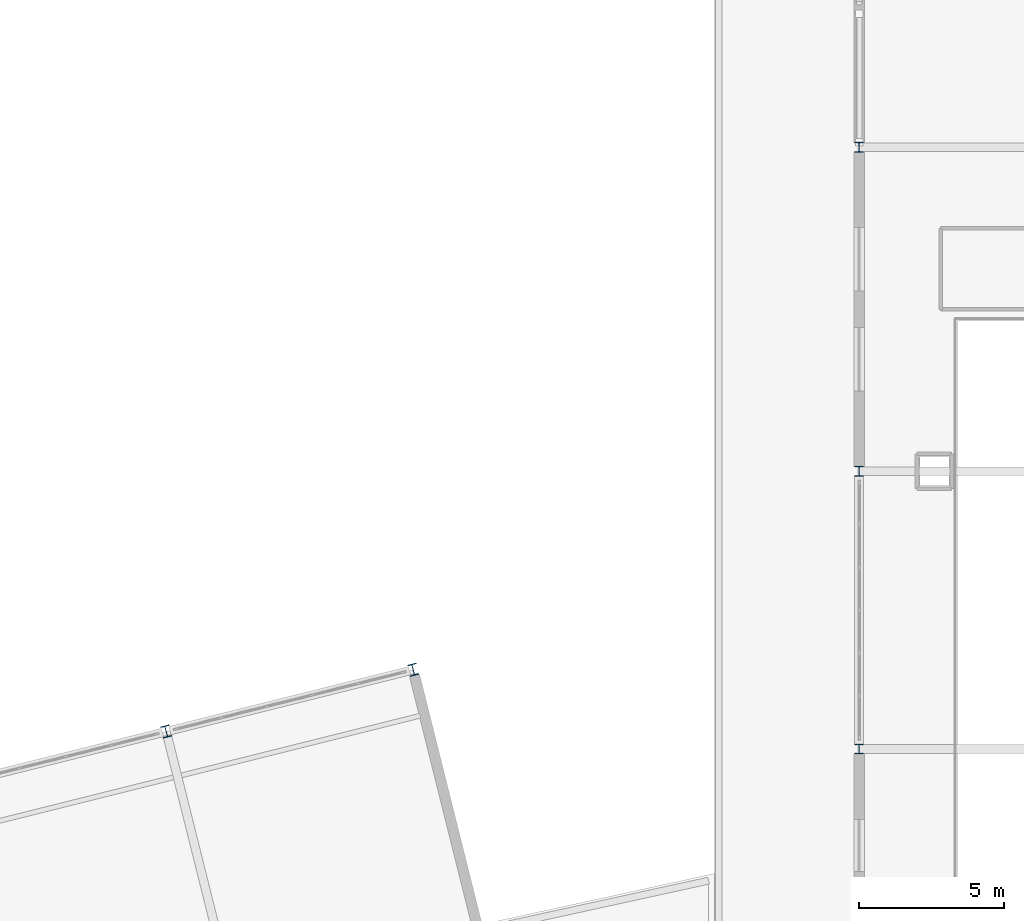
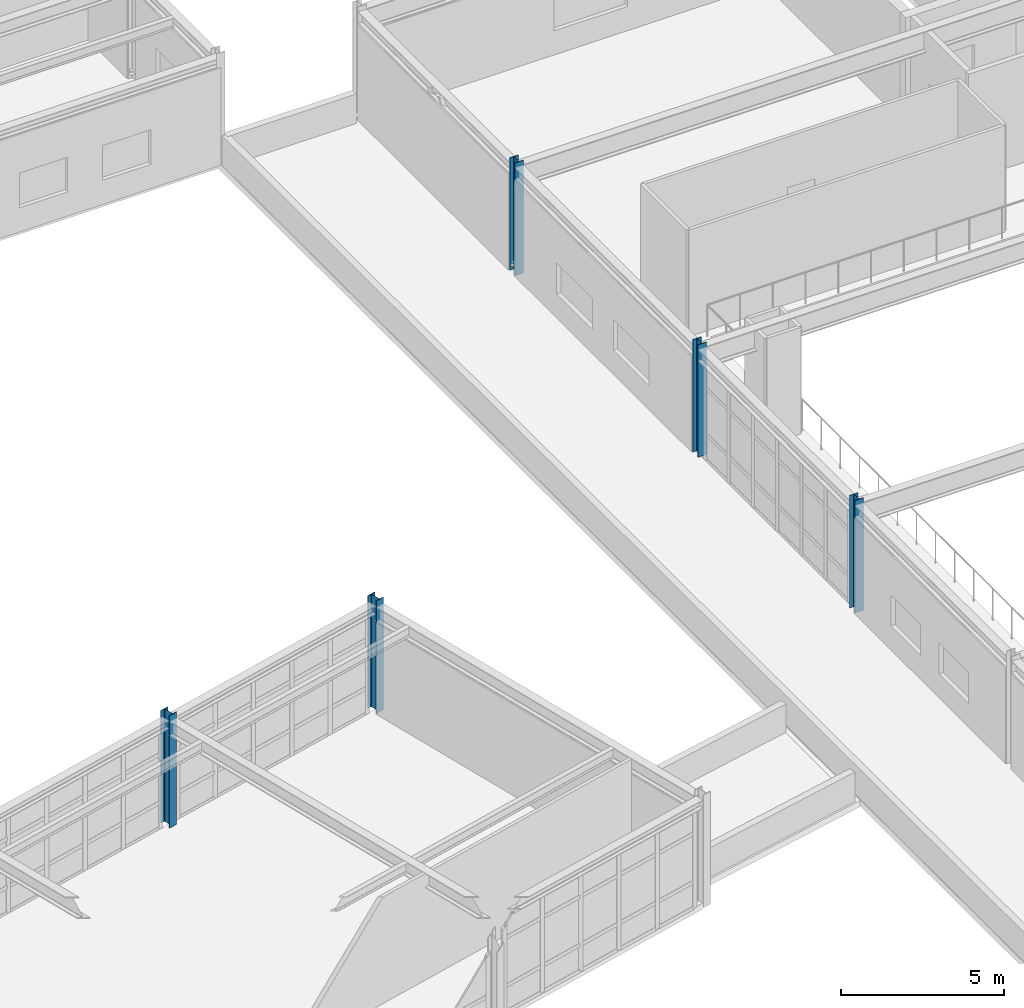
# One storey, part 8 of 76: 5 columns.
"""IFC4 building model written with IfcOpenShell, lengths in metres."""

from ifc_helpers import new_model, si_unit, direction, frame, origin, origin_2d, place, context, subcontext, project, spatial, i_section, extrude, material, material_profile, profile_set, type_object, element, save


model = new_model("IFC4")

# Units and contexts
model_context = context("Model", 3, precision=1e-05, world=origin(), true_north=direction((0.0, 1.0)))
body_context = subcontext(model_context, "Body", "Model", "MODEL_VIEW")
ifc_project = project(units=[si_unit("LENGTHUNIT", "METRE"), si_unit("AREAUNIT", "SQUARE_METRE"), si_unit("VOLUMEUNIT", "CUBIC_METRE"), si_unit("PLANEANGLEUNIT", "RADIAN"), si_unit("MASSUNIT", "GRAM", prefix="KILO")], contexts=[model_context])

# Site, building, storey
site_placement = place(None, origin())
site = spatial("IfcSite", under=ifc_project, at=site_placement, CompositionType="ELEMENT")
building_placement = place(site_placement, origin())
building = spatial("IfcBuilding", under=site, at=building_placement, Name="Nordkorset Police Headquarters", CompositionType="ELEMENT")
storey_placement = place(building_placement, frame((0.0, 0.0, 13.64990234375)))
storey = spatial("IfcBuildingStorey", under=building, at=storey_placement, Name="L03", CompositionType="ELEMENT", Elevation=13.64990234375)

# Columns
ifc_material_1 = material(Name="Steel S355J2", Category="steel")
ifc_material_profile_1 = material_profile(ifc_material_1, i_section(OverallWidth=0.300048828125, OverallDepth=0.340087890625, WebThickness=0.011962890625, FlangeThickness=0.021484375, FilletRadius=0.027099609375, at=origin_2d()), Name="HEB 340")
ifc_profile_set_1 = profile_set([ifc_material_profile_1], Name="Steel S355J2")
column_type_1 = type_object("IfcColumnType", Name="Col_HEB_340", PredefinedType="COLUMN", material=ifc_profile_set_1)
for number, where, z_axis, x_axis, name in (
    (1, (91.39990234375, 67.199951171875, 0.0), (0.0, 0.0, 1.0), (1.0, 0.0, 0.0), "Structural Column V5_X1_2 L03"),
    (2, (91.39990234375, 76.800048828125, 0.0), (0.0, 0.0, 1.0), (1.0, 0.0, 0.0), "Structural Column V5_X1_3 L03"),
    (3, (91.39990234375, 88.0, 0.0), (0.0, 0.0, 1.0), (1.0, 0.0, 0.0), "Structural Column V5_X1_4 L03"),
):
    element("IfcColumn", number, at=place(storey_placement, frame(where, z_axis=z_axis, x_axis=x_axis)), inside=storey, type_object=column_type_1, Name=name, PredefinedType="COLUMN", context=body_context, shape_type="SweptSolid", body=[
        extrude(i_section(OverallWidth=0.300048828125, OverallDepth=0.340087890625, WebThickness=0.011962890625, FlangeThickness=0.021484375, FilletRadius=0.027099609375, at=origin_2d()), origin(), (0.0, 0.0, 1.0), 4.2001953125),
    ])
ifc_material_2 = material(Name="Steel S355J2", Category="steel")
ifc_material_profile_2 = material_profile(ifc_material_2, i_section(OverallWidth=0.300048828125, OverallDepth=0.39990234375, WebThickness=0.013427734375, FlangeThickness=0.02392578125, FilletRadius=0.027099609375, at=origin_2d()), Name="HEB 400")
ifc_profile_set_2 = profile_set([ifc_material_profile_2], Name="Steel S355J2")
column_type_2 = type_object("IfcColumnType", Name="Col_HEB_400", PredefinedType="COLUMN", material=ifc_profile_set_2)
for number, where, z_axis, x_axis, name in (
    (4, (67.450439453125, 67.805908203125, 0.0), (0.0, 0.0, 1.0), (0.970142500145, 0.242535625038, 0.0), "Structural Column V4_U5_V1 L03"),
    (5, (75.98779296875, 69.940185546875, 0.0), (0.0, 0.0, 1.0), (0.970142500145, 0.242535625038, 0.0), "Structural Column V4_U6_V1 L03"),
):
    element("IfcColumn", number, at=place(storey_placement, frame(where, z_axis=z_axis, x_axis=x_axis)), inside=storey, type_object=column_type_2, Name=name, PredefinedType="COLUMN", context=body_context, shape_type="SweptSolid", body=[
        extrude(i_section(OverallWidth=0.300048828125, OverallDepth=0.39990234375, WebThickness=0.013427734375, FlangeThickness=0.02392578125, FilletRadius=0.027099609375, at=origin_2d()), origin(), (0.0, 0.0, 1.0), 4.2001953125),
    ])

save(model, "model.ifc")
